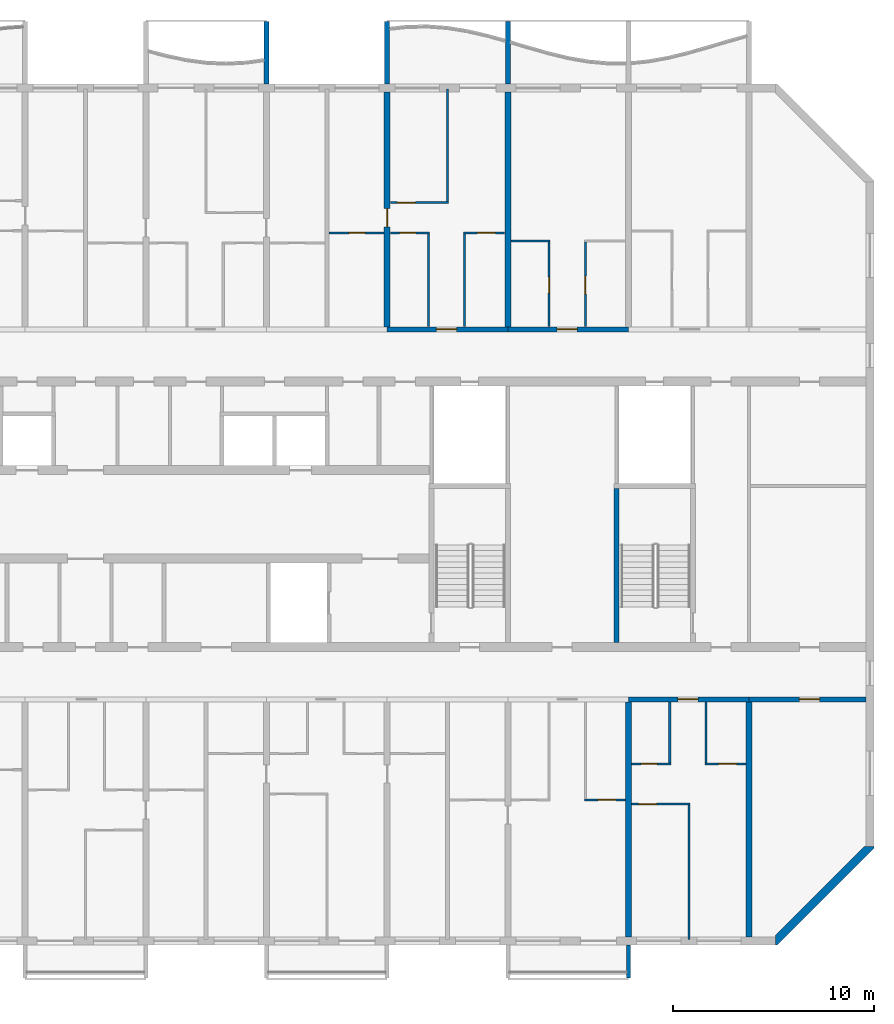
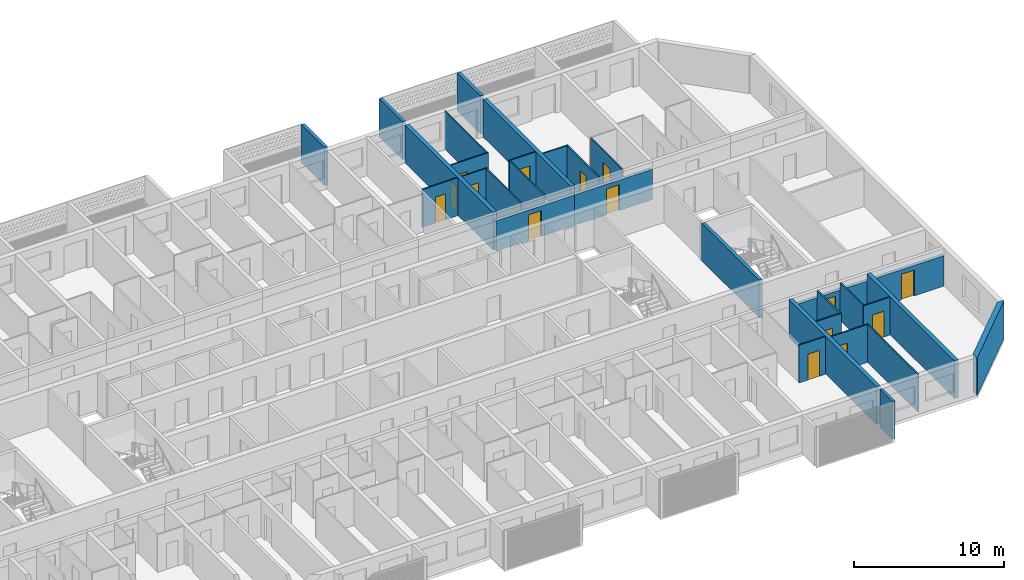
# One storey, part 12 of 33: 31 walls, 15 doors, 15 openings.
"""IFC4 building model written with IfcOpenShell, lengths in metres."""

from ifc_helpers import new_model, si_unit, direction, frame, frame_2d, origin, place, context, subcontext, project, spatial, polyline, rectangle, outline, extrude, source, transform, mapped, material, layer, layer_set, type_object, element, fill, save


model = new_model("IFC4")

# Units and contexts
model_context = context("Model", 3, precision=1e-05, world=origin(), true_north=direction((0.0, 1.0)))
body_context = subcontext(model_context, "Body", "Model", "MODEL_VIEW")
ifc_project = project(units=[si_unit("LENGTHUNIT", "METRE"), si_unit("AREAUNIT", "SQUARE_METRE"), si_unit("VOLUMEUNIT", "CUBIC_METRE"), si_unit("PLANEANGLEUNIT", "RADIAN"), si_unit("MASSUNIT", "GRAM", prefix="KILO")], contexts=[model_context])

# Site, building, storey
site_placement = place(None, origin())
site = spatial("IfcSite", under=ifc_project, at=site_placement, CompositionType="ELEMENT")
building_placement = place(site_placement, origin())
building = spatial("IfcBuilding", under=site, at=building_placement, Name="Poui Terraces", CompositionType="ELEMENT")
storey_placement = place(building_placement, frame((0.0, 0.0, 135.60009765625)))
storey = spatial("IfcBuildingStorey", under=building, at=storey_placement, Name="L37", CompositionType="ELEMENT", Elevation=135.60009765625)

# Wall, opening, door
ifc_material_1 = material(Name="Concrete 65 MPa", Category="concrete")
ifc_layer_1 = layer(ifc_material_1, 0.25)
ifc_layer_set_1 = layer_set([ifc_layer_1], Name="Concrete 65 MPa")
wall_type_1 = type_object("IfcWallType", Name="CORRIDOR WALL 250 65MPa", PredefinedType="SHEAR", material=ifc_layer_set_1)
wall_1_placement = place(storey_placement, frame((78.0, 12.0, 0.0), z_axis=(0.0, 0.0, 1.0), x_axis=(1.0, 0.0, 0.0)))
wall_1 = element("IfcWall", 1, at=wall_1_placement, inside=storey, type_object=wall_type_1, Name="CORRIDOR WALL LINE B BAY 12", PredefinedType="SHEAR", context=body_context, shape_type="SweptSolid", body=[
    extrude(rectangle(XDim=6.0, YDim=0.25, at=frame_2d((3.0, 0.0))), origin(), (0.0, 0.0, 1.0), 2.469970703125),
])
opening_1_placement = place(wall_1_placement, frame((2.449951171875, 0.0, 0.0)))
opening_1 = element("IfcOpeningElement", 2, at=opening_1_placement, cuts=wall_1, Name="Opening FD30S", PredefinedType="OPENING", context=body_context, shape_type="SweptSolid", body=[
    extrude(rectangle(XDim=1.0, YDim=2.10009765625, at=frame_2d((0.5, 1.050048828125))), frame((0.0, 0.135009765625, 0.0), z_axis=(0.0, -1.0, 0.0), x_axis=(1.0, 0.0, 0.0)), (0.0, 0.0, 1.0), 0.27001953125),
])
ifc_material_2 = material(Name="Steel fire door", Category="steel")
door_type_1 = type_object("IfcDoorType", Name="FLAT ENTRANCE DOOR 1000 X 2100", OperationType="NOTDEFINED", PredefinedType="DOOR", material=ifc_material_2)
door_1_placement = place(opening_1_placement, frame((1.0, 0.0, 0.0), z_axis=(0.0, 0.0, 1.0), x_axis=(-1.0, 0.0, 0.0)))
door_1 = element("IfcDoor", 3, at=door_1_placement, inside=storey, type_object=door_type_1, Name="FLAT ENTRANCE DOOR 114", OperationType="SINGLE_SWING_RIGHT", OverallHeight=2.10009765625, OverallWidth=1.0, PredefinedType="DOOR", context=body_context, shape_type="SweptSolid", body=[
    extrude(rectangle(XDim=1.0, YDim=2.10009765625, at=frame_2d((0.5, 1.050048828125))), frame((0.0, 0.02490234375, 0.0), z_axis=(0.0, -1.0, 0.0), x_axis=(1.0, 0.0, 0.0)), (0.0, 0.0, 1.0), 0.050048828125),
])
fill(opening_1, door_1)

wall_2_placement = place(storey_placement, frame((84.0, 12.0, 0.0), z_axis=(0.0, 0.0, 1.0), x_axis=(1.0, 0.0, 0.0)))
wall_2 = element("IfcWall", 4, at=wall_2_placement, inside=storey, type_object=wall_type_1, Name="CORRIDOR WALL LINE B BAY 13", PredefinedType="SHEAR", context=body_context, shape_type="SweptSolid", body=[
    extrude(rectangle(XDim=5.800048828125, YDim=0.25, at=frame_2d((2.89990234375, 0.0))), origin(), (0.0, 0.0, 1.0), 2.469970703125),
])
opening_2_placement = place(wall_2_placement, frame((2.5, 0.0, 0.0)))
opening_2 = element("IfcOpeningElement", 5, at=opening_2_placement, cuts=wall_2, Name="Opening D100", PredefinedType="OPENING", context=body_context, shape_type="SweptSolid", body=[
    extrude(rectangle(XDim=1.0, YDim=2.10009765625, at=frame_2d((0.5, 1.050048828125))), frame((0.0, 0.135009765625, 0.0), z_axis=(0.0, -1.0, 0.0), x_axis=(1.0, 0.0, 0.0)), (0.0, 0.0, 1.0), 0.27001953125),
])
ifc_material_3 = material(Name="Solid core timber door", Category="wood")
door_type_2 = type_object("IfcDoorType", Name="ACCESSIBLE INTERNAL DOOR 1000 X 2100", OperationType="NOTDEFINED", PredefinedType="DOOR", material=ifc_material_3)
door_2_placement = place(opening_2_placement, frame((1.0, 0.0, 0.0), z_axis=(0.0, 0.0, 1.0), x_axis=(-1.0, 0.0, 0.0)))
door_2 = element("IfcDoor", 6, at=door_2_placement, inside=storey, type_object=door_type_2, Name="ACCESSIBLE INTERNAL DOOR 116", OperationType="SINGLE_SWING_RIGHT", OverallHeight=2.10009765625, OverallWidth=1.0, PredefinedType="DOOR", context=body_context, shape_type="SweptSolid", body=[
    extrude(rectangle(XDim=1.0, YDim=2.10009765625, at=frame_2d((0.5, 1.050048828125))), frame((0.0, 0.02490234375, 0.0), z_axis=(0.0, -1.0, 0.0), x_axis=(1.0, 0.0, 0.0)), (0.0, 0.0, 1.0), 0.050048828125),
])
fill(opening_2, door_2)

wall_3_placement = place(storey_placement, frame((66.0, 30.39990234375, 0.0), z_axis=(0.0, 0.0, 1.0), x_axis=(1.0, 0.0, 0.0)))
wall_3 = element("IfcWall", 7, at=wall_3_placement, inside=storey, type_object=wall_type_1, Name="CORRIDOR WALL LINE E BAY 10", PredefinedType="SHEAR", context=body_context, shape_type="SweptSolid", body=[
    extrude(rectangle(XDim=6.0, YDim=0.25, at=frame_2d((3.0, 0.0))), origin(), (0.0, 0.0, 1.0), 2.469970703125),
])
opening_3_placement = place(wall_3_placement, frame((2.449951171875, 0.0, 0.0)))
opening_3 = element("IfcOpeningElement", 8, at=opening_3_placement, cuts=wall_3, Name="Opening FD30S", PredefinedType="OPENING", context=body_context, shape_type="SweptSolid", body=[
    extrude(rectangle(XDim=1.0, YDim=2.10009765625, at=frame_2d((0.5, 1.050048828125))), frame((0.0, 0.135009765625, 0.0), z_axis=(0.0, -1.0, 0.0), x_axis=(1.0, 0.0, 0.0)), (0.0, 0.0, 1.0), 0.27001953125),
])
door_3_placement = place(opening_3_placement, origin())
door_3 = element("IfcDoor", 9, at=door_3_placement, inside=storey, type_object=door_type_1, Name="FLAT ENTRANCE DOOR 065", OperationType="SINGLE_SWING_LEFT", OverallHeight=2.10009765625, OverallWidth=1.0, PredefinedType="DOOR", context=body_context, shape_type="SweptSolid", body=[
    extrude(rectangle(XDim=1.0, YDim=2.10009765625, at=frame_2d((0.5, 1.050048828125))), frame((0.0, 0.02490234375, 0.0), z_axis=(0.0, -1.0, 0.0), x_axis=(1.0, 0.0, 0.0)), (0.0, 0.0, 1.0), 0.050048828125),
])
fill(opening_3, door_3)

wall_4_placement = place(storey_placement, frame((72.0, 30.39990234375, 0.0), z_axis=(0.0, 0.0, 1.0), x_axis=(1.0, 0.0, 0.0)))
wall_4 = element("IfcWall", 10, at=wall_4_placement, inside=storey, type_object=wall_type_1, Name="CORRIDOR WALL LINE E BAY 11", PredefinedType="SHEAR", context=body_context, shape_type="SweptSolid", body=[
    extrude(rectangle(XDim=6.0, YDim=0.25, at=frame_2d((3.0, 0.0))), origin(), (0.0, 0.0, 1.0), 2.469970703125),
])
opening_4_placement = place(wall_4_placement, frame((2.449951171875, 0.0, 0.0)))
opening_4 = element("IfcOpeningElement", 11, at=opening_4_placement, cuts=wall_4, Name="Opening FD30S", PredefinedType="OPENING", context=body_context, shape_type="SweptSolid", body=[
    extrude(rectangle(XDim=1.0, YDim=2.10009765625, at=frame_2d((0.5, 1.050048828125))), frame((0.0, 0.135009765625, 0.0), z_axis=(0.0, -1.0, 0.0), x_axis=(1.0, 0.0, 0.0)), (0.0, 0.0, 1.0), 0.27001953125),
])
door_4_placement = place(opening_4_placement, origin())
door_4 = element("IfcDoor", 12, at=door_4_placement, inside=storey, type_object=door_type_1, Name="FLAT ENTRANCE DOOR 068", OperationType="SINGLE_SWING_LEFT", OverallHeight=2.10009765625, OverallWidth=1.0, PredefinedType="DOOR", context=body_context, shape_type="SweptSolid", body=[
    extrude(rectangle(XDim=1.0, YDim=2.10009765625, at=frame_2d((0.5, 1.050048828125))), frame((0.0, 0.02490234375, 0.0), z_axis=(0.0, -1.0, 0.0), x_axis=(1.0, 0.0, 0.0)), (0.0, 0.0, 1.0), 0.050048828125),
])
fill(opening_4, door_4)

ifc_layer_2 = layer(ifc_material_1, 0.300048828125)
ifc_layer_set_2 = layer_set([ifc_layer_2], Name="Concrete 65 MPa")
wall_type_2 = type_object("IfcWallType", Name="CROSS WALL 300 65MPa", PredefinedType="SHEAR", material=ifc_layer_set_2)
wall_5_placement = place(storey_placement, frame((66.0, 30.52490234375, 0.0), z_axis=(0.0, 0.0, 1.0), x_axis=(0.0, 1.0, 0.0)))
wall_5 = element("IfcWall", 13, at=wall_5_placement, inside=storey, type_object=wall_type_2, Name="CROSS WALL LINE 12 NORTH", PredefinedType="SHEAR", context=body_context, shape_type="SweptSolid", body=[
    extrude(rectangle(XDim=11.675048828125, YDim=0.300048828125, at=frame_2d((5.83740234375, 0.0))), origin(), (0.0, 0.0, 1.0), 3.06982421875),
])
opening_5_placement = place(wall_5_placement, frame((4.97509765625, 0.0, 0.0)))
opening_5 = element("IfcOpeningElement", 14, at=opening_5_placement, cuts=wall_5, Name="Opening D90", PredefinedType="OPENING", context=body_context, shape_type="SweptSolid", body=[
    extrude(rectangle(XDim=0.89990234375, YDim=2.10009765625, at=frame_2d((0.449951171875, 1.050048828125))), frame((0.0, 0.16015625, 0.0), z_axis=(0.0, -1.0, 0.0), x_axis=(1.0, 0.0, 0.0)), (0.0, 0.0, 1.0), 0.320068359375),
])
door_type_3 = type_object("IfcDoorType", Name="INTERNAL DOOR 900 X 2100", OperationType="NOTDEFINED", PredefinedType="DOOR", material=ifc_material_3)
door_5_placement = place(opening_5_placement, origin())
door_5 = element("IfcDoor", 15, at=door_5_placement, inside=storey, type_object=door_type_3, Name="INTERNAL DOOR 062", OperationType="SINGLE_SWING_LEFT", OverallHeight=2.10009765625, OverallWidth=0.89990234375, PredefinedType="DOOR", context=body_context, shape_type="SweptSolid", body=[
    extrude(rectangle(XDim=0.89990234375, YDim=2.10009765625, at=frame_2d((0.449951171875, 1.050048828125))), frame((0.0, 0.02490234375, 0.0), z_axis=(0.0, -1.0, 0.0), x_axis=(1.0, 0.0, 0.0)), (0.0, 0.0, 1.0), 0.050048828125),
])
fill(opening_5, door_5)

# Walls
for number, where, z_axis, x_axis, name in (
    (16, (72.0, 30.52490234375, 0.0), (0.0, 0.0, 1.0), (0.0, 1.0, 0.0), "CROSS WALL LINE 13 NORTH"),
    (17, (78.0, 0.199951171875, 0.0), (0.0, 0.0, 1.0), (0.0, 1.0, 0.0), "CROSS WALL LINE 14 SOUTH"),
    (18, (84.0, 0.199951171875, 0.0), (0.0, 0.0, 1.0), (0.0, 1.0, 0.0), "CROSS WALL LINE 15 SOUTH"),
):
    element("IfcWall", number, at=place(storey_placement, frame(where, z_axis=z_axis, x_axis=x_axis)), inside=storey, type_object=wall_type_2, Name=name, PredefinedType="SHEAR", context=body_context, shape_type="SweptSolid", body=[
        extrude(rectangle(XDim=11.675048828125, YDim=0.300048828125, at=frame_2d((5.83740234375, 0.0))), origin(), (0.0, 0.0, 1.0), 3.06982421875),
    ])

# Wall, opening, door
ifc_material_4 = material(Name="Plasterboard partition")
ifc_layer_3 = layer(ifc_material_4, 0.10009765625)
ifc_layer_set_3 = layer_set([ifc_layer_3], Name="Plasterboard partition")
wall_type_3 = type_object("IfcWallType", Name="FLAT PARTITION 100", PredefinedType="PARTITIONING", material=ifc_layer_set_3)
wall_6_placement = place(storey_placement, frame((78.159912109375, 6.800048828125, 0.0), z_axis=(0.0, 0.0, 1.0), x_axis=(1.0, 0.0, 0.0)))
wall_6 = element("IfcWall", 19, at=wall_6_placement, inside=storey, type_object=wall_type_3, Name="FLAT PARTITION 100", PredefinedType="PARTITIONING", context=body_context, shape_type="SweptSolid", body=[
    extrude(rectangle(XDim=2.89013671875, YDim=0.10009765625, at=frame_2d((1.445068359375, 0.0))), origin(), (0.0, 0.0, 1.0), 3.06982421875),
])
opening_6_placement = place(wall_6_placement, frame((0.340087890625, 0.0, 0.0)))
opening_6 = element("IfcOpeningElement", 20, at=opening_6_placement, cuts=wall_6, Name="Opening D90", PredefinedType="OPENING", context=body_context, shape_type="SweptSolid", body=[
    extrude(rectangle(XDim=0.89990234375, YDim=2.10009765625, at=frame_2d((0.449951171875, 1.050048828125))), frame((0.0, 0.06005859375, 0.0), z_axis=(0.0, -1.0, 0.0), x_axis=(1.0, 0.0, 0.0)), (0.0, 0.0, 1.0), 0.1201171875),
])
door_6_placement = place(opening_6_placement, origin())
door_6 = element("IfcDoor", 21, at=door_6_placement, inside=storey, type_object=door_type_3, Name="INTERNAL DOOR 112", OperationType="SINGLE_SWING_RIGHT", OverallHeight=2.10009765625, OverallWidth=0.89990234375, PredefinedType="DOOR", context=body_context, shape_type="SweptSolid", body=[
    extrude(rectangle(XDim=0.89990234375, YDim=2.10009765625, at=frame_2d((0.449951171875, 1.050048828125))), frame((0.0, 0.02490234375, 0.0), z_axis=(0.0, -1.0, 0.0), x_axis=(1.0, 0.0, 0.0)), (0.0, 0.0, 1.0), 0.050048828125),
])
fill(opening_6, door_6)

wall_7_placement = place(storey_placement, frame((75.800048828125, 7.0, 0.0), z_axis=(0.0, 0.0, 1.0), x_axis=(1.0, 0.0, 0.0)))
wall_7 = element("IfcWall", 22, at=wall_7_placement, inside=storey, type_object=wall_type_3, Name="FLAT PARTITION 100", PredefinedType="PARTITIONING", context=body_context, shape_type="SweptSolid", body=[
    extrude(rectangle(XDim=2.0400390625, YDim=0.10009765625, at=frame_2d((1.02001953125, 0.0))), origin(), (0.0, 0.0, 1.0), 3.06982421875),
])
opening_7_placement = place(wall_7_placement, frame((0.675048828125, 0.0, 0.0)))
opening_7 = element("IfcOpeningElement", 23, at=opening_7_placement, cuts=wall_7, Name="Opening D90", PredefinedType="OPENING", context=body_context, shape_type="SweptSolid", body=[
    extrude(rectangle(XDim=0.89990234375, YDim=2.10009765625, at=frame_2d((0.449951171875, 1.050048828125))), frame((0.0, 0.06005859375, 0.0), z_axis=(0.0, -1.0, 0.0), x_axis=(1.0, 0.0, 0.0)), (0.0, 0.0, 1.0), 0.1201171875),
])
door_7_placement = place(opening_7_placement, origin())
door_7 = element("IfcDoor", 24, at=door_7_placement, inside=storey, type_object=door_type_3, Name="INTERNAL DOOR 111", OperationType="SINGLE_SWING_RIGHT", OverallHeight=2.10009765625, OverallWidth=0.89990234375, PredefinedType="DOOR", context=body_context, shape_type="SweptSolid", body=[
    extrude(rectangle(XDim=0.89990234375, YDim=2.10009765625, at=frame_2d((0.449951171875, 1.050048828125))), frame((0.0, 0.02490234375, 0.0), z_axis=(0.0, -1.0, 0.0), x_axis=(1.0, 0.0, 0.0)), (0.0, 0.0, 1.0), 0.050048828125),
])
fill(opening_7, door_7)

wall_8_placement = place(storey_placement, frame((78.159912109375, 8.800048828125, 0.0), z_axis=(0.0, 0.0, 1.0), x_axis=(1.0, 0.0, 0.0)))
wall_8 = element("IfcWall", 25, at=wall_8_placement, inside=storey, type_object=wall_type_3, Name="FLAT PARTITION 100", PredefinedType="PARTITIONING", context=body_context, shape_type="SweptSolid", body=[
    extrude(rectangle(XDim=1.940185546875, YDim=0.10009765625, at=frame_2d((0.97021484375, 0.0))), origin(), (0.0, 0.0, 1.0), 3.06982421875),
])
opening_8_placement = place(wall_8_placement, frame((0.465087890625, 0.0, 0.0)))
opening_8 = element("IfcOpeningElement", 26, at=opening_8_placement, cuts=wall_8, Name="Opening D80", PredefinedType="OPENING", context=body_context, shape_type="SweptSolid", body=[
    extrude(rectangle(XDim=0.800048828125, YDim=2.10009765625, at=frame_2d((0.39990234375, 1.050048828125))), frame((0.0, 0.06005859375, 0.0), z_axis=(0.0, -1.0, 0.0), x_axis=(1.0, 0.0, 0.0)), (0.0, 0.0, 1.0), 0.1201171875),
])
door_type_4 = type_object("IfcDoorType", Name="BATHROOM, LAUNDRY AND STORE DOOR 800 X 2100", OperationType="NOTDEFINED", PredefinedType="DOOR", material=ifc_material_3)
door_8_placement = place(opening_8_placement, origin())
door_8 = element("IfcDoor", 27, at=door_8_placement, inside=storey, type_object=door_type_4, Name="BATHROOM, LAUNDRY AND STORE DOOR 113", OperationType="SINGLE_SWING_LEFT", OverallHeight=2.10009765625, OverallWidth=0.800048828125, PredefinedType="DOOR", context=body_context, shape_type="SweptSolid", body=[
    extrude(rectangle(XDim=0.800048828125, YDim=2.10009765625, at=frame_2d((0.39990234375, 1.050048828125))), frame((0.0, 0.02490234375, 0.0), z_axis=(0.0, -1.0, 0.0), x_axis=(1.0, 0.0, 0.0)), (0.0, 0.0, 1.0), 0.050048828125),
])
fill(opening_8, door_8)

wall_9_placement = place(storey_placement, frame((81.800048828125, 8.800048828125, 0.0), z_axis=(0.0, 0.0, 1.0), x_axis=(1.0, 0.0, 0.0)))
wall_9 = element("IfcWall", 28, at=wall_9_placement, inside=storey, type_object=wall_type_3, Name="FLAT PARTITION 100", PredefinedType="PARTITIONING", context=body_context, shape_type="SweptSolid", body=[
    extrude(rectangle(XDim=2.0400390625, YDim=0.10009765625, at=frame_2d((1.02001953125, 0.0))), origin(), (0.0, 0.0, 1.0), 3.06982421875),
])
opening_9_placement = place(wall_9_placement, frame((0.675048828125, 0.0, 0.0)))
opening_9 = element("IfcOpeningElement", 29, at=opening_9_placement, cuts=wall_9, Name="Opening D90", PredefinedType="OPENING", context=body_context, shape_type="SweptSolid", body=[
    extrude(rectangle(XDim=0.89990234375, YDim=2.10009765625, at=frame_2d((0.449951171875, 1.050048828125))), frame((0.0, 0.06005859375, 0.0), z_axis=(0.0, -1.0, 0.0), x_axis=(1.0, 0.0, 0.0)), (0.0, 0.0, 1.0), 0.1201171875),
])
door_9_placement = place(opening_9_placement, origin())
door_9 = element("IfcDoor", 30, at=door_9_placement, inside=storey, type_object=door_type_3, Name="INTERNAL DOOR 115", OperationType="SINGLE_SWING_RIGHT", OverallHeight=2.10009765625, OverallWidth=0.89990234375, PredefinedType="DOOR", context=body_context, shape_type="SweptSolid", body=[
    extrude(rectangle(XDim=0.89990234375, YDim=2.10009765625, at=frame_2d((0.449951171875, 1.050048828125))), frame((0.0, 0.02490234375, 0.0), z_axis=(0.0, -1.0, 0.0), x_axis=(1.0, 0.0, 0.0)), (0.0, 0.0, 1.0), 0.050048828125),
])
fill(opening_9, door_9)

# Wall
wall_10_placement = place(storey_placement, frame((72.159912109375, 34.800048828125, 0.0), z_axis=(0.0, 0.0, 1.0), x_axis=(1.0, 0.0, 0.0)))
element("IfcWall", 31, at=wall_10_placement, inside=storey, type_object=wall_type_3, Name="FLAT PARTITION 100", PredefinedType="PARTITIONING", context=body_context, shape_type="SweptSolid", body=[
    extrude(rectangle(XDim=1.940185546875, YDim=0.10009765625, at=frame_2d((0.97021484375, 0.0))), origin(), (0.0, 0.0, 1.0), 3.06982421875),
])

# Wall, opening, door
wall_11_placement = place(storey_placement, frame((63.10009765625, 35.199951171875, 0.0), z_axis=(0.0, 0.0, 1.0), x_axis=(1.0, 0.0, 0.0)))
wall_11 = element("IfcWall", 32, at=wall_11_placement, inside=storey, type_object=wall_type_3, Name="FLAT PARTITION 100", PredefinedType="PARTITIONING", context=body_context, shape_type="SweptSolid", body=[
    extrude(rectangle(XDim=2.739990234375, YDim=0.10009765625, at=frame_2d((1.3701171875, 0.0))), origin(), (0.0, 0.0, 1.0), 3.06982421875),
])
opening_10_placement = place(wall_11_placement, frame((1.0, 0.0, 0.0)))
opening_10 = element("IfcOpeningElement", 33, at=opening_10_placement, cuts=wall_11, Name="Opening D80", PredefinedType="OPENING", context=body_context, shape_type="SweptSolid", body=[
    extrude(rectangle(XDim=0.800048828125, YDim=2.10009765625, at=frame_2d((0.39990234375, 1.050048828125))), frame((0.0, 0.06005859375, 0.0), z_axis=(0.0, -1.0, 0.0), x_axis=(1.0, 0.0, 0.0)), (0.0, 0.0, 1.0), 0.1201171875),
])
door_10_placement = place(opening_10_placement, frame((0.800048828125, 0.0, 0.0), z_axis=(0.0, 0.0, 1.0), x_axis=(-1.0, 0.0, 0.0)))
door_10 = element("IfcDoor", 34, at=door_10_placement, inside=storey, type_object=door_type_4, Name="BATHROOM, LAUNDRY AND STORE DOOR 061", OperationType="SINGLE_SWING_RIGHT", OverallHeight=2.10009765625, OverallWidth=0.800048828125, PredefinedType="DOOR", context=body_context, shape_type="SweptSolid", body=[
    extrude(rectangle(XDim=0.800048828125, YDim=2.10009765625, at=frame_2d((0.39990234375, 1.050048828125))), frame((0.0, 0.02490234375, 0.0), z_axis=(0.0, -1.0, 0.0), x_axis=(1.0, 0.0, 0.0)), (0.0, 0.0, 1.0), 0.050048828125),
])
fill(opening_10, door_10)

wall_12_placement = place(storey_placement, frame((66.159912109375, 35.199951171875, 0.0), z_axis=(0.0, 0.0, 1.0), x_axis=(1.0, 0.0, 0.0)))
wall_12 = element("IfcWall", 35, at=wall_12_placement, inside=storey, type_object=wall_type_3, Name="FLAT PARTITION 100", PredefinedType="PARTITIONING", context=body_context, shape_type="SweptSolid", body=[
    extrude(rectangle(XDim=1.940185546875, YDim=0.10009765625, at=frame_2d((0.97021484375, 0.0))), origin(), (0.0, 0.0, 1.0), 3.06982421875),
])
opening_11_placement = place(wall_12_placement, frame((0.465087890625, 0.0, 0.0)))
opening_11 = element("IfcOpeningElement", 36, at=opening_11_placement, cuts=wall_12, Name="Opening D80", PredefinedType="OPENING", context=body_context, shape_type="SweptSolid", body=[
    extrude(rectangle(XDim=0.800048828125, YDim=2.10009765625, at=frame_2d((0.39990234375, 1.050048828125))), frame((0.0, 0.06005859375, 0.0), z_axis=(0.0, -1.0, 0.0), x_axis=(1.0, 0.0, 0.0)), (0.0, 0.0, 1.0), 0.1201171875),
])
door_11_placement = place(opening_11_placement, frame((0.800048828125, 0.0, 0.0), z_axis=(0.0, 0.0, 1.0), x_axis=(-1.0, 0.0, 0.0)))
door_11 = element("IfcDoor", 37, at=door_11_placement, inside=storey, type_object=door_type_4, Name="BATHROOM, LAUNDRY AND STORE DOOR 064", OperationType="SINGLE_SWING_RIGHT", OverallHeight=2.10009765625, OverallWidth=0.800048828125, PredefinedType="DOOR", context=body_context, shape_type="SweptSolid", body=[
    extrude(rectangle(XDim=0.800048828125, YDim=2.10009765625, at=frame_2d((0.39990234375, 1.050048828125))), frame((0.0, 0.02490234375, 0.0), z_axis=(0.0, -1.0, 0.0), x_axis=(1.0, 0.0, 0.0)), (0.0, 0.0, 1.0), 0.050048828125),
])
fill(opening_11, door_11)

wall_13_placement = place(storey_placement, frame((69.800048828125, 35.199951171875, 0.0), z_axis=(0.0, 0.0, 1.0), x_axis=(1.0, 0.0, 0.0)))
wall_13 = element("IfcWall", 38, at=wall_13_placement, inside=storey, type_object=wall_type_3, Name="FLAT PARTITION 100", PredefinedType="PARTITIONING", context=body_context, shape_type="SweptSolid", body=[
    extrude(rectangle(XDim=2.0400390625, YDim=0.10009765625, at=frame_2d((1.02001953125, 0.0))), origin(), (0.0, 0.0, 1.0), 3.06982421875),
])
opening_12_placement = place(wall_13_placement, frame((0.675048828125, 0.0, 0.0)))
opening_12 = element("IfcOpeningElement", 39, at=opening_12_placement, cuts=wall_13, Name="Opening D90", PredefinedType="OPENING", context=body_context, shape_type="SweptSolid", body=[
    extrude(rectangle(XDim=0.89990234375, YDim=2.10009765625, at=frame_2d((0.449951171875, 1.050048828125))), frame((0.0, 0.06005859375, 0.0), z_axis=(0.0, -1.0, 0.0), x_axis=(1.0, 0.0, 0.0)), (0.0, 0.0, 1.0), 0.1201171875),
])
door_12_placement = place(opening_12_placement, frame((0.89990234375, 0.0, 0.0), z_axis=(0.0, 0.0, 1.0), x_axis=(-1.0, 0.0, 0.0)))
door_12 = element("IfcDoor", 40, at=door_12_placement, inside=storey, type_object=door_type_3, Name="INTERNAL DOOR 066", OperationType="SINGLE_SWING_LEFT", OverallHeight=2.10009765625, OverallWidth=0.89990234375, PredefinedType="DOOR", context=body_context, shape_type="SweptSolid", body=[
    extrude(rectangle(XDim=0.89990234375, YDim=2.10009765625, at=frame_2d((0.449951171875, 1.050048828125))), frame((0.0, 0.02490234375, 0.0), z_axis=(0.0, -1.0, 0.0), x_axis=(1.0, 0.0, 0.0)), (0.0, 0.0, 1.0), 0.050048828125),
])
fill(opening_12, door_12)

wall_14_placement = place(storey_placement, frame((66.159912109375, 36.699951171875, 0.0), z_axis=(0.0, 0.0, 1.0), x_axis=(1.0, 0.0, 0.0)))
wall_14 = element("IfcWall", 41, at=wall_14_placement, inside=storey, type_object=wall_type_3, Name="FLAT PARTITION 100", PredefinedType="PARTITIONING", context=body_context, shape_type="SweptSolid", body=[
    extrude(rectangle(XDim=2.89013671875, YDim=0.10009765625, at=frame_2d((1.445068359375, 0.0))), origin(), (0.0, 0.0, 1.0), 3.06982421875),
])
opening_13_placement = place(wall_14_placement, frame((0.340087890625, 0.0, 0.0)))
opening_13 = element("IfcOpeningElement", 42, at=opening_13_placement, cuts=wall_14, Name="Opening D90", PredefinedType="OPENING", context=body_context, shape_type="SweptSolid", body=[
    extrude(rectangle(XDim=0.89990234375, YDim=2.10009765625, at=frame_2d((0.449951171875, 1.050048828125))), frame((0.0, 0.06005859375, 0.0), z_axis=(0.0, -1.0, 0.0), x_axis=(1.0, 0.0, 0.0)), (0.0, 0.0, 1.0), 0.1201171875),
])
door_13_placement = place(opening_13_placement, frame((0.89990234375, 0.0, 0.0), z_axis=(0.0, 0.0, 1.0), x_axis=(-1.0, 0.0, 0.0)))
door_13 = element("IfcDoor", 43, at=door_13_placement, inside=storey, type_object=door_type_3, Name="INTERNAL DOOR 063", OperationType="SINGLE_SWING_LEFT", OverallHeight=2.10009765625, OverallWidth=0.89990234375, PredefinedType="DOOR", context=body_context, shape_type="SweptSolid", body=[
    extrude(rectangle(XDim=0.89990234375, YDim=2.10009765625, at=frame_2d((0.449951171875, 1.050048828125))), frame((0.0, 0.02490234375, 0.0), z_axis=(0.0, -1.0, 0.0), x_axis=(1.0, 0.0, 0.0)), (0.0, 0.0, 1.0), 0.050048828125),
])
fill(opening_13, door_13)

# Walls
wall_15_placement = place(storey_placement, frame((68.050048828125, 30.534912109375, 0.0), z_axis=(0.0, 0.0, 1.0), x_axis=(0.0, 1.0, 0.0)))
element("IfcWall", 44, at=wall_15_placement, inside=storey, type_object=wall_type_3, Name="FLAT PARTITION 100", PredefinedType="PARTITIONING", context=body_context, shape_type="SweptSolid", body=[
    extrude(rectangle(XDim=4.614990234375, YDim=0.10009765625, at=frame_2d((2.3076171875, 0.0))), origin(), (0.0, 0.0, 1.0), 3.06982421875),
])
wall_16_placement = place(storey_placement, frame((69.0, 36.75, 0.0), z_axis=(0.0, 0.0, 1.0), x_axis=(0.0, 1.0, 0.0)))
element("IfcWall", 45, at=wall_16_placement, inside=storey, type_object=wall_type_3, Name="FLAT PARTITION 100", PredefinedType="PARTITIONING", context=body_context, shape_type="SweptSolid", body=[
    extrude(rectangle(XDim=5.590087890625, YDim=0.10009765625, at=frame_2d((2.794921875, 0.0))), origin(), (0.0, 0.0, 1.0), 3.06982421875),
])
wall_17_placement = place(storey_placement, frame((69.85009765625, 30.534912109375, 0.0), z_axis=(0.0, 0.0, 1.0), x_axis=(0.0, 1.0, 0.0)))
element("IfcWall", 46, at=wall_17_placement, inside=storey, type_object=wall_type_3, Name="FLAT PARTITION 100", PredefinedType="PARTITIONING", context=body_context, shape_type="SweptSolid", body=[
    extrude(rectangle(XDim=4.614990234375, YDim=0.10009765625, at=frame_2d((2.3076171875, 0.0))), origin(), (0.0, 0.0, 1.0), 3.06982421875),
])

# Wall, opening, door
wall_18_placement = place(storey_placement, frame((74.050048828125, 30.534912109375, 0.0), z_axis=(0.0, 0.0, 1.0), x_axis=(0.0, 1.0, 0.0)))
wall_18 = element("IfcWall", 47, at=wall_18_placement, inside=storey, type_object=wall_type_3, Name="FLAT PARTITION 100", PredefinedType="PARTITIONING", context=body_context, shape_type="SweptSolid", body=[
    extrude(rectangle(XDim=4.215087890625, YDim=0.10009765625, at=frame_2d((2.107421875, 0.0))), origin(), (0.0, 0.0, 1.0), 3.06982421875),
])
opening_14_placement = place(wall_18_placement, frame((1.6650390625, 0.0, 0.0)))
opening_14 = element("IfcOpeningElement", 48, at=opening_14_placement, cuts=wall_18, Name="Opening D80", PredefinedType="OPENING", context=body_context, shape_type="SweptSolid", body=[
    extrude(rectangle(XDim=0.800048828125, YDim=2.10009765625, at=frame_2d((0.39990234375, 1.050048828125))), frame((0.0, 0.06005859375, 0.0), z_axis=(0.0, -1.0, 0.0), x_axis=(1.0, 0.0, 0.0)), (0.0, 0.0, 1.0), 0.1201171875),
])
door_14_placement = place(opening_14_placement, origin())
door_14 = element("IfcDoor", 49, at=door_14_placement, inside=storey, type_object=door_type_4, Name="BATHROOM, LAUNDRY AND STORE DOOR 067", OperationType="SINGLE_SWING_LEFT", OverallHeight=2.10009765625, OverallWidth=0.800048828125, PredefinedType="DOOR", context=body_context, shape_type="SweptSolid", body=[
    extrude(rectangle(XDim=0.800048828125, YDim=2.10009765625, at=frame_2d((0.39990234375, 1.050048828125))), frame((0.0, 0.02490234375, 0.0), z_axis=(0.0, -1.0, 0.0), x_axis=(1.0, 0.0, 0.0)), (0.0, 0.0, 1.0), 0.050048828125),
])
fill(opening_14, door_14)

wall_19_placement = place(storey_placement, frame((75.85009765625, 30.534912109375, 0.0), z_axis=(0.0, 0.0, 1.0), x_axis=(0.0, 1.0, 0.0)))
wall_19 = element("IfcWall", 50, at=wall_19_placement, inside=storey, type_object=wall_type_3, Name="FLAT PARTITION 100", PredefinedType="PARTITIONING", context=body_context, shape_type="SweptSolid", body=[
    extrude(rectangle(XDim=4.215087890625, YDim=0.10009765625, at=frame_2d((2.107421875, 0.0))), origin(), (0.0, 0.0, 1.0), 3.06982421875),
])
opening_15_placement = place(wall_19_placement, frame((1.614990234375, 0.0, 0.0)))
opening_15 = element("IfcOpeningElement", 51, at=opening_15_placement, cuts=wall_19, Name="Opening D90", PredefinedType="OPENING", context=body_context, shape_type="SweptSolid", body=[
    extrude(rectangle(XDim=0.89990234375, YDim=2.10009765625, at=frame_2d((0.449951171875, 1.050048828125))), frame((0.0, 0.06005859375, 0.0), z_axis=(0.0, -1.0, 0.0), x_axis=(1.0, 0.0, 0.0)), (0.0, 0.0, 1.0), 0.1201171875),
])
door_15_placement = place(opening_15_placement, frame((0.89990234375, 0.0, 0.0), z_axis=(0.0, 0.0, 1.0), x_axis=(-1.0, 0.0, 0.0)))
door_15 = element("IfcDoor", 52, at=door_15_placement, inside=storey, type_object=door_type_3, Name="INTERNAL DOOR 069", OperationType="SINGLE_SWING_LEFT", OverallHeight=2.10009765625, OverallWidth=0.89990234375, PredefinedType="DOOR", context=body_context, shape_type="SweptSolid", body=[
    extrude(rectangle(XDim=0.89990234375, YDim=2.10009765625, at=frame_2d((0.449951171875, 1.050048828125))), frame((0.0, 0.02490234375, 0.0), z_axis=(0.0, -1.0, 0.0), x_axis=(1.0, 0.0, 0.0)), (0.0, 0.0, 1.0), 0.050048828125),
])
fill(opening_15, door_15)

# Walls
wall_20_placement = place(storey_placement, frame((80.050048828125, 8.85009765625, 0.0), z_axis=(0.0, 0.0, 1.0), x_axis=(0.0, 1.0, 0.0)))
element("IfcWall", 53, at=wall_20_placement, inside=storey, type_object=wall_type_3, Name="FLAT PARTITION 100", PredefinedType="PARTITIONING", context=body_context, shape_type="SweptSolid", body=[
    extrude(rectangle(XDim=3.014892578125, YDim=0.10009765625, at=frame_2d((1.50732421875, 0.0))), origin(), (0.0, 0.0, 1.0), 3.06982421875),
])
wall_21_placement = place(storey_placement, frame((81.0, 0.06005859375, 0.0), z_axis=(0.0, 0.0, 1.0), x_axis=(0.0, 1.0, 0.0)))
element("IfcWall", 54, at=wall_21_placement, inside=storey, type_object=wall_type_3, Name="FLAT PARTITION 100", PredefinedType="PARTITIONING", context=body_context, shape_type="SweptSolid", body=[
    extrude(rectangle(XDim=6.68994140625, YDim=0.10009765625, at=frame_2d((3.344970703125, 0.0))), origin(), (0.0, 0.0, 1.0), 3.06982421875),
])
wall_22_placement = place(storey_placement, frame((81.85009765625, 8.85009765625, 0.0), z_axis=(0.0, 0.0, 1.0), x_axis=(0.0, 1.0, 0.0)))
element("IfcWall", 55, at=wall_22_placement, inside=storey, type_object=wall_type_3, Name="FLAT PARTITION 100", PredefinedType="PARTITIONING", context=body_context, shape_type="SweptSolid", body=[
    extrude(rectangle(XDim=3.014892578125, YDim=0.10009765625, at=frame_2d((1.50732421875, 0.0))), origin(), (0.0, 0.0, 1.0), 3.06982421875),
])
ifc_layer_4 = layer(ifc_material_1, 0.25)
ifc_layer_set_4 = layer_set([ifc_layer_4], Name="Concrete 65 MPa")
wall_type_4 = type_object("IfcWallType", Name="STAIR CORE WALL 250 65 MPA", PredefinedType="SOLIDWALL", material=ifc_layer_set_4)
wall_23_placement = place(storey_placement, frame((77.39990234375, 14.824951171875, 0.0), z_axis=(0.0, 0.0, 1.0), x_axis=(0.0, 1.0, 0.0)))
element("IfcWall", 56, at=wall_23_placement, inside=storey, type_object=wall_type_4, Name="STAIR CORE WALL", PredefinedType="SOLIDWALL", context=body_context, shape_type="SweptSolid", body=[
    extrude(rectangle(XDim=7.650146484375, YDim=0.25, at=frame_2d((3.8251953125, 0.0))), origin(), (0.0, 0.0, 1.0), 3.06982421875),
])
ifc_material_5 = material(Name="Precast concrete 40 MPa", Category="concrete")
ifc_layer_5 = layer(ifc_material_5, 0.39990234375)
ifc_layer_set_5 = layer_set([ifc_layer_5], Name="Precast concrete 40 MPa")
wall_type_5 = type_object("IfcWallType", Name="TERRACOTTA CLAD CHAMFER WALL 400", PredefinedType="STANDARD", material=ifc_layer_set_5)
wall_24_placement = place(storey_placement, origin())
element("IfcWall", 57, at=wall_24_placement, inside=storey, type_object=wall_type_5, Name="CHAMFER WALL CH01", PredefinedType="STANDARD", context=body_context, shape_type="SweptSolid", body=[
    extrude(outline(polyline([(85.317138671875, -0.199951171875), (85.39990234375, -0.199951171875), (90.199951171875, 4.60009765625), (90.199951171875, 4.682861328125), (89.71728515625, 4.682861328125), (85.317138671875, 0.28271484375), (85.317138671875, -0.199951171875)])), origin(), (0.0, 0.0, 1.0), 3.06982421875),
])
ifc_layer_6 = layer(ifc_material_5, 0.199951171875)
ifc_layer_set_6 = layer_set([ifc_layer_6], Name="Precast concrete 40 MPa")
wall_type_6 = type_object("IfcWallType", Name="REAR FIN 200", PredefinedType="STANDARD", material=ifc_layer_set_6)
shared_shape_1 = source(origin(), body_context, "Body", "SweptSolid", [
    extrude(outline(polyline([(0.0, 0.0), (0.2001953125, 0.0), (0.2001953125, 1.650146484375), (0.0, 1.650146484375), (0.0, 0.0)])), origin(), (0.0, 0.0, 1.0), 3.099853515625),
])
wall_25_placement = place(storey_placement, frame((77.89990234375, -1.85009765625, 0.0)))
element("IfcWall", 58, at=wall_25_placement, inside=storey, type_object=wall_type_6, Name="REAR FIN", PredefinedType="STANDARD", context=body_context, shape_type="MappedRepresentation", body=[
    mapped(shared_shape_1, transform((0.0, 0.0, 0.0))),
])
ifc_layer_7 = layer(ifc_material_5, 0.25)
ifc_layer_set_7 = layer_set([ifc_layer_7], Name="Precast concrete 40 MPa")
wall_type_7 = type_object("IfcWallType", Name="BALCONY FIN 250", PredefinedType="STANDARD", material=ifc_layer_set_7)
shared_shape_2 = source(origin(), body_context, "Body", "SweptSolid", [
    extrude(outline(polyline([(0.0, 0.0), (0.25, 0.0), (0.25, 3.099853515625), (0.0, 3.099853515625), (0.0, 0.0)])), origin(), (0.0, 0.0, 1.0), 3.099853515625),
])
for number, where, name in (
    (59, (59.875, 42.60009765625, 0.0), "BALCONY FIN"),
    (60, (65.875, 42.60009765625, 0.0), "BALCONY FIN"),
    (61, (71.875, 42.60009765625, 0.0), "BALCONY FIN"),
):
    element("IfcWall", number, at=place(storey_placement, frame(where)), inside=storey, type_object=wall_type_7, Name=name, PredefinedType="STANDARD", context=body_context, shape_type="MappedRepresentation", body=[
        mapped(shared_shape_2, transform((0.0, 0.0, 0.0))),
    ])

save(model, "model.ifc")
